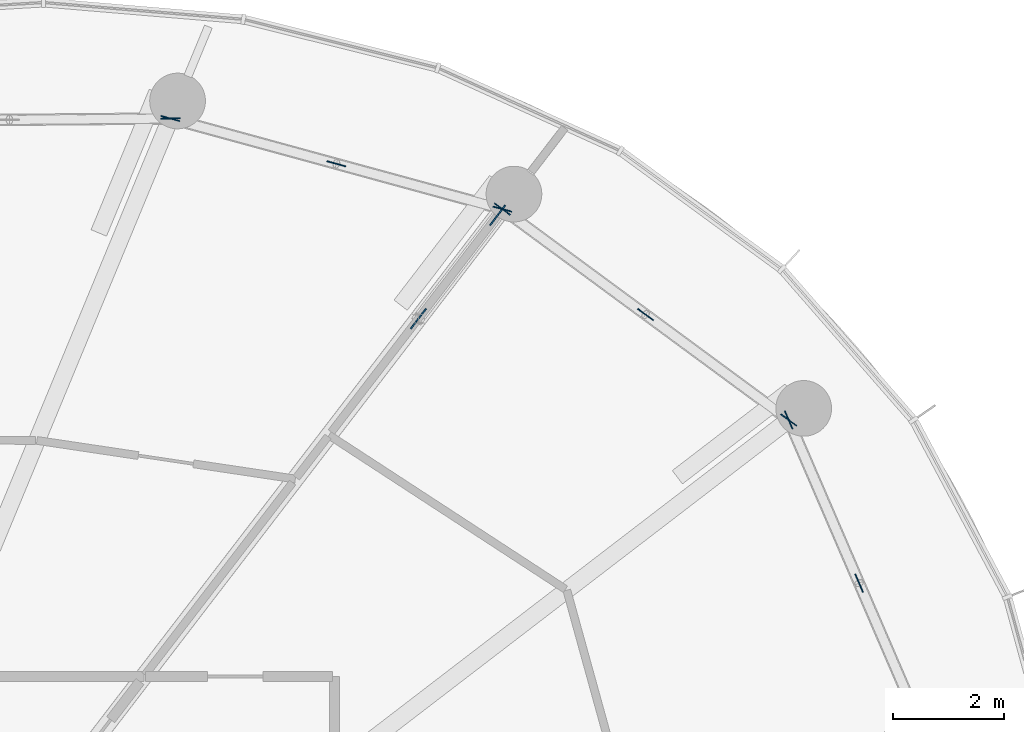
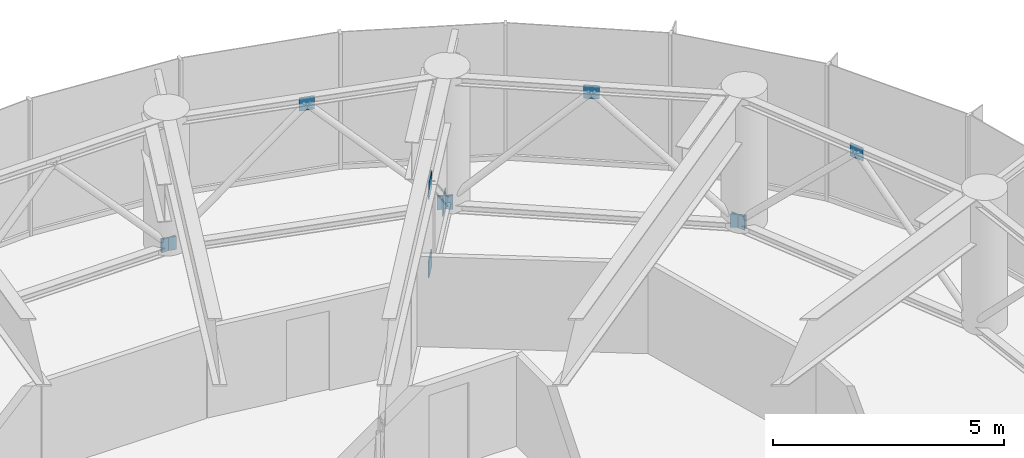
# One storey, part 22 of 25: 12 discrete accessories.
"""IFC4 building model written with IfcOpenShell, lengths in metres."""

from ifc_helpers import new_model, si_unit, direction, frame, origin, origin_2d, place, context, subcontext, project, spatial, rectangle, extrude, source, transform, mapped, material, layer, layer_set, type_object, element, save


model = new_model("IFC4")

# Units and contexts
model_context = context("Model", 3, precision=1e-05, world=origin(), true_north=direction((0.0, 1.0)))
body_context = subcontext(model_context, "Body", "Model", "MODEL_VIEW")
ifc_project = project(units=[si_unit("LENGTHUNIT", "METRE"), si_unit("AREAUNIT", "SQUARE_METRE"), si_unit("VOLUMEUNIT", "CUBIC_METRE"), si_unit("PLANEANGLEUNIT", "RADIAN"), si_unit("MASSUNIT", "GRAM", prefix="KILO")], contexts=[model_context])

# Site, building, storey
site_placement = place(None, origin())
site = spatial("IfcSite", under=ifc_project, at=site_placement, CompositionType="ELEMENT")
building_placement = place(site_placement, origin())
building = spatial("IfcBuilding", under=site, at=building_placement, Name="Spindrift Exchange Tower", CompositionType="ELEMENT")
storey_placement = place(building_placement, frame((0.0, 0.0, 179.89990234375)))
storey = spatial("IfcBuildingStorey", under=building, at=storey_placement, Name="L43", CompositionType="ELEMENT", Elevation=179.89990234375)

# Discrete accessories
ifc_material = material(Name="Steel Grade 350", Category="steel")
ifc_layer_1 = layer(ifc_material, 0.02490234375)
ifc_layer_set_1 = layer_set([ifc_layer_1], Name="Gusset plate 450x450x25 Steel Grade 350")
discrete_accessory_type_1 = type_object("IfcDiscreteAccessoryType", Name="Gusset plate 450x450x25 Steel Grade 350", PredefinedType="USERDEFINED", material=ifc_layer_set_1)
shared_shape_1 = source(origin(), body_context, "Body", "SweptSolid", [
    extrude(rectangle(XDim=0.449951171875, YDim=0.02490234375, at=origin_2d()), origin(), (0.0, 0.0, 1.0), 0.449951171875),
])
for number, where, z_axis, x_axis, name in (
    (1, (64.90869140625, 64.822998046875, 2.1552734375), (0.0, 0.0, 1.0), (0.608773890899, 0.793343777791, 0.0), "L43 gusset plate GP1 04"),
    (2, (66.332763671875, 66.6787109375, 0.08935546875), (0.0, 0.0, 1.0), (0.608773890899, 0.793343777791, 0.0), "L43 gusset plate GP1 04"),
    (3, (64.90869140625, 64.822998046875, 0.08935546875), (0.0, 0.0, 1.0), (0.608761429009, 0.793353340291, 0.0), "L43 gusset plate GP1 04"),
):
    element("IfcDiscreteAccessory", number, at=place(storey_placement, frame(where, z_axis=z_axis, x_axis=x_axis)), inside=storey, type_object=discrete_accessory_type_1, Name=name, ObjectType="Gusset plate", PredefinedType="USERDEFINED", context=body_context, shape_type="MappedRepresentation", body=[
        mapped(shared_shape_1, transform((0.0, 0.0, 0.0), scale=1.0)),
    ])
ifc_layer_2 = layer(ifc_material, 0.02001953125)
ifc_layer_set_2 = layer_set([ifc_layer_2], Name="Gusset plate 350x350x20 Steel Grade 350")
discrete_accessory_type_2 = type_object("IfcDiscreteAccessoryType", Name="Gusset plate 350x350x20 Steel Grade 350", PredefinedType="USERDEFINED", material=ifc_layer_set_2)
shared_shape_2 = source(origin(), body_context, "Body", "SweptSolid", [
    extrude(rectangle(XDim=0.35009765625, YDim=0.02001953125, at=origin_2d()), origin(), (0.0, 0.0, 1.0), 0.35009765625),
])
for number, where, z_axis, x_axis, name in (
    (4, (72.8193359375, 60.076416015625, 3.195068359375), (0.0, 0.0, 1.0), (-0.395957431531, 0.918268867171, 0.0), "L43 gusset plate GP2 02"),
    (5, (71.55615234375, 63.005859375, 0.03515625), (0.0, 0.0, 1.0), (-0.395957431531, 0.918268867171, 0.0), "L43 gusset plate GP2 02"),
    (6, (71.55615234375, 63.005859375, 0.03515625), (0.0, 0.0, 1.0), (-0.805234413673, 0.592956608055, 0.0), "L43 gusset plate GP2 03"),
    (7, (68.987060546875, 64.897705078125, 3.195068359375), (0.0, 0.0, 1.0), (-0.805234413673, 0.592956608055, 0.0), "L43 gusset plate GP2 03"),
    (8, (66.41796875, 66.789794921875, 0.03515625), (0.0, 0.0, 1.0), (-0.805208540294, 0.59299174247, 0.0), "L43 gusset plate GP2 03"),
    (9, (66.41796875, 66.789794921875, 0.03515625), (0.0, 0.0, 1.0), (-0.964711536272, 0.263309042351, 0.0), "L43 gusset plate GP2 04"),
    (10, (63.4375, 67.603271484375, 3.195068359375), (0.0, 0.0, 1.0), (-0.964711536272, 0.263309042351, 0.0), "L43 gusset plate GP2 04"),
    (11, (60.456787109375, 68.416748046875, 0.03515625), (0.0, 0.0, 1.0), (-0.964711536272, 0.263309042351, 0.0), "L43 gusset plate GP2 04"),
    (12, (60.456787109375, 68.416748046875, 0.03515625), (0.0, 0.0, 1.0), (-0.999964600556, -0.008414133037, 0.0), "L43 gusset plate GP2 05"),
):
    element("IfcDiscreteAccessory", number, at=place(storey_placement, frame(where, z_axis=z_axis, x_axis=x_axis)), inside=storey, type_object=discrete_accessory_type_2, Name=name, ObjectType="Gusset plate", PredefinedType="USERDEFINED", context=body_context, shape_type="MappedRepresentation", body=[
        mapped(shared_shape_2, transform((0.0, 0.0, 0.0), scale=1.0)),
    ])

save(model, "model.ifc")
